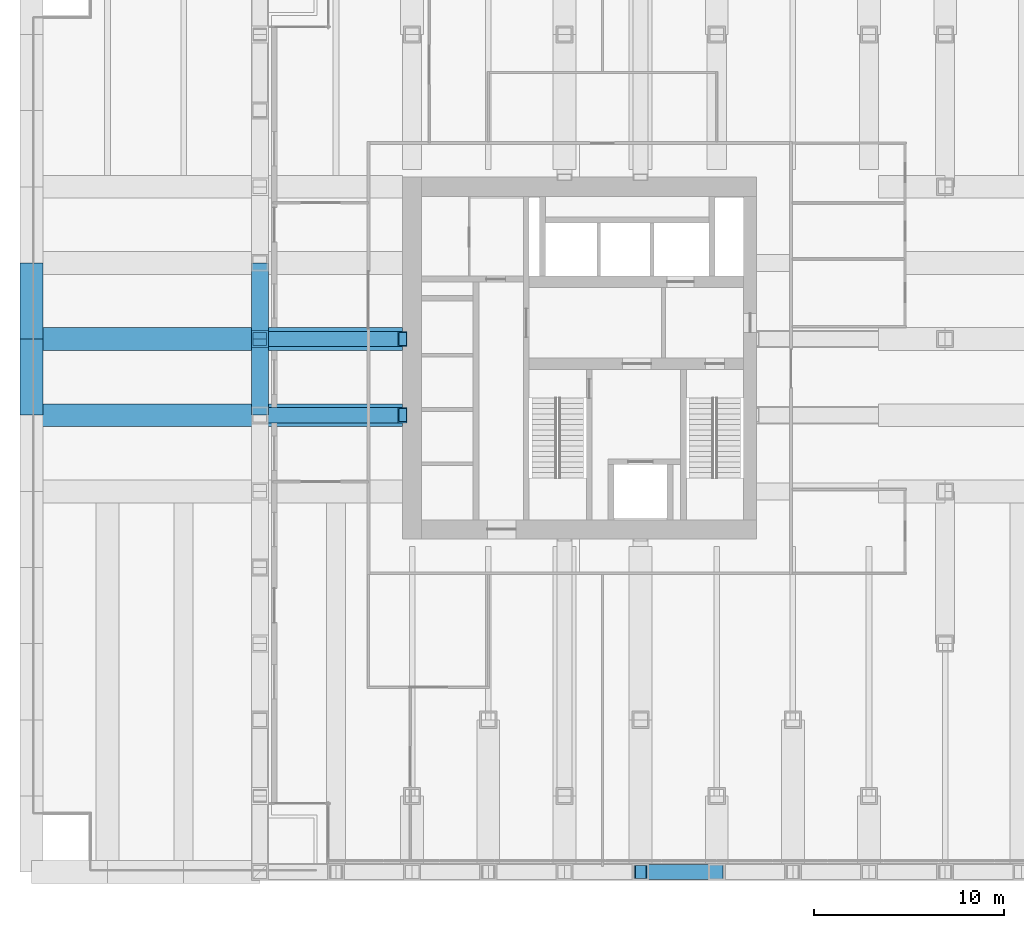
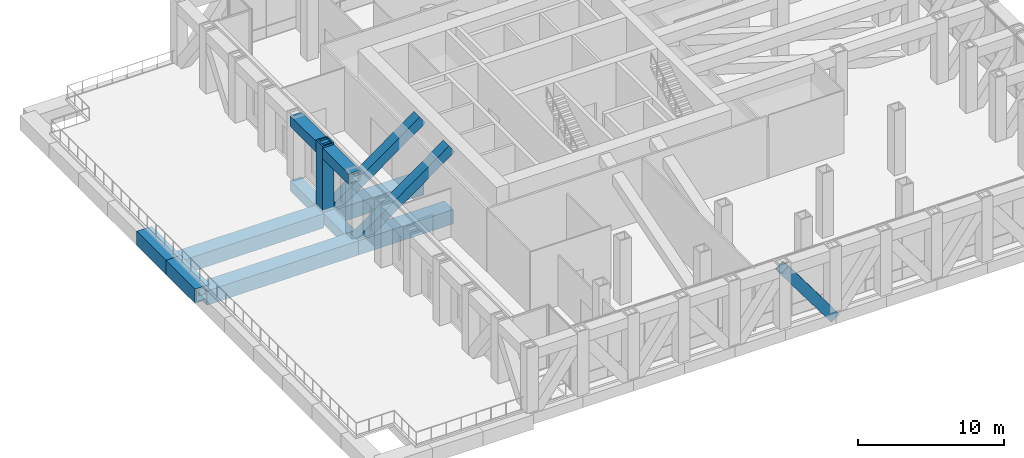
# One storey, part 3 of 14: 9 beams, 4 members.
"""IFC4 building model written with IfcOpenShell, lengths in metres."""

from ifc_helpers import new_model, si_unit, direction, frame, origin, origin_2d, place, context, subcontext, project, spatial, hollow_rectangle, extrude, material, material_profile, profile_set, type_object, element, save


model = new_model("IFC4")

# Units and contexts
model_context = context("Model", 3, precision=1e-05, world=origin(), true_north=direction((0.0, 1.0)))
body_context = subcontext(model_context, "Body", "Model", "MODEL_VIEW")
ifc_project = project(units=[si_unit("LENGTHUNIT", "METRE"), si_unit("AREAUNIT", "SQUARE_METRE"), si_unit("VOLUMEUNIT", "CUBIC_METRE"), si_unit("PLANEANGLEUNIT", "RADIAN"), si_unit("MASSUNIT", "GRAM", prefix="KILO")], contexts=[model_context])

# Site, building, storey
site_placement = place(None, origin())
site = spatial("IfcSite", under=ifc_project, at=site_placement, CompositionType="ELEMENT")
building_placement = place(site_placement, origin())
building = spatial("IfcBuilding", under=site, at=building_placement, Name="Rimbunsela Tower", CompositionType="ELEMENT")
storey_placement = place(building_placement, frame((0.0, 0.0, 71.0)))
storey = spatial("IfcBuildingStorey", under=building, at=storey_placement, Name="L17", CompositionType="ELEMENT", Elevation=71.0)

# Beams
ifc_material_1 = material(Name="Steel BJ 55 (fy 410 MPa)", Category="steel")
ifc_material_profile_1 = material_profile(ifc_material_1, hollow_rectangle(XDim=1.199951171875, YDim=1.199951171875, WallThickness=0.10009765625, at=origin_2d()), Name="BOX 1200x1200x100")
ifc_profile_set_1 = profile_set([ifc_material_profile_1], Name="Steel BJ 55 (fy 410 MPa)")
beam_type_1 = type_object("IfcBeamType", Name="Beam BOX 1200x1200x100", PredefinedType="BEAM", material=ifc_profile_set_1)
beam_1_placement = place(storey_placement, frame((-2.0, 24.0, -0.75), z_axis=(1.0, 0.0, 0.0), x_axis=(0.0, 1.0, 0.0)))
element("IfcBeam", 1, at=beam_1_placement, inside=storey, type_object=beam_type_1, Name="Beam B5 L17", PredefinedType="BEAM", context=body_context, shape_type="SweptSolid", body=[
    extrude(hollow_rectangle(XDim=1.199951171875, YDim=1.199951171875, WallThickness=0.10009765625, at=origin_2d()), origin(), (0.0, 0.0, 1.0), 12.0),
])
beam_2_placement = place(storey_placement, frame((-2.0, 28.0, -0.75), z_axis=(1.0, 0.0, 0.0), x_axis=(0.0, 1.0, 0.0)))
element("IfcBeam", 2, at=beam_2_placement, inside=storey, type_object=beam_type_1, Name="Beam B5 L17", PredefinedType="BEAM", context=body_context, shape_type="SweptSolid", body=[
    extrude(hollow_rectangle(XDim=1.199951171875, YDim=1.199951171875, WallThickness=0.10009765625, at=origin_2d()), origin(), (0.0, 0.0, 1.0), 11.550048828125),
])
beam_3_placement = place(storey_placement, frame((10.0, 24.0, -0.75), z_axis=(1.0, 0.0, 0.0), x_axis=(0.0, 1.0, 0.0)))
element("IfcBeam", 3, at=beam_3_placement, inside=storey, type_object=beam_type_1, Name="Beam B5 L17", PredefinedType="BEAM", context=body_context, shape_type="SweptSolid", body=[
    extrude(hollow_rectangle(XDim=1.199951171875, YDim=1.199951171875, WallThickness=0.10009765625, at=origin_2d()), origin(), (0.0, 0.0, 1.0), 7.5),
])
beam_4_placement = place(storey_placement, frame((10.449951171875, 28.0, -0.75), z_axis=(1.0, 0.0, 0.0), x_axis=(0.0, 1.0, 0.0)))
element("IfcBeam", 4, at=beam_4_placement, inside=storey, type_object=beam_type_1, Name="Beam B5 L17", PredefinedType="BEAM", context=body_context, shape_type="SweptSolid", body=[
    extrude(hollow_rectangle(XDim=1.199951171875, YDim=1.199951171875, WallThickness=0.10009765625, at=origin_2d()), origin(), (0.0, 0.0, 1.0), 7.050048828125),
])
ifc_material_2 = material(Name="Steel BJ 55 (fy 410 MPa)", Category="steel")
ifc_material_profile_2 = material_profile(ifc_material_2, hollow_rectangle(XDim=1.199951171875, YDim=1.199951171875, WallThickness=0.125, at=origin_2d()), Name="BOX 1200x1200x125")
ifc_profile_set_2 = profile_set([ifc_material_profile_2], Name="Steel BJ 55 (fy 410 MPa)")
beam_type_2 = type_object("IfcBeamType", Name="Beam BOX 1200x1200x125", PredefinedType="BEAM", material=ifc_profile_set_2)
for number, where, z_axis, x_axis, name in (
    (5, (-2.0, 24.0, -0.75), (0.0, 1.0, 0.0), (-1.0, 0.0, 0.0), "Beam B4 L17"),
    (6, (-2.0, 28.0, -0.75), (0.0, 1.0, 0.0), (-1.0, 0.0, 0.0), "Beam B4 L17"),
):
    element("IfcBeam", number, at=place(storey_placement, frame(where, z_axis=z_axis, x_axis=x_axis)), inside=storey, type_object=beam_type_2, Name=name, PredefinedType="BEAM", context=body_context, shape_type="SweptSolid", body=[
        extrude(hollow_rectangle(XDim=1.199951171875, YDim=1.199951171875, WallThickness=0.125, at=origin_2d()), origin(), (0.0, 0.0, 1.0), 4.0),
    ])

# Members
ifc_material_3 = material(Name="Steel BJ 55 (fy 410 MPa)", Category="steel")
ifc_material_profile_3 = material_profile(ifc_material_3, hollow_rectangle(XDim=0.800048828125, YDim=0.800048828125, WallThickness=0.06005859375, at=origin_2d()), Name="BOX 800x800x60")
ifc_profile_set_3 = profile_set([ifc_material_profile_3], Name="Steel BJ 55 (fy 410 MPa)")
member_type_1 = type_object("IfcMemberType", Name="Outrigger brace BOX 800x800x60", PredefinedType="BRACE", material=ifc_profile_set_3)
for number, where, z_axis, x_axis, name in (
    (7, (10.0, 28.0, -0.60009765625), (0.811526825515, 0.0, 0.584315164504), (0.0, 1.0, 0.0), "Outrigger brace OB1 W L17"),
    (8, (10.0, 24.0, -0.60009765625), (0.811526825515, 0.0, 0.584315164504), (0.0, 1.0, 0.0), "Outrigger brace OB1 W L17"),
):
    element("IfcMember", number, at=place(storey_placement, frame(where, z_axis=z_axis, x_axis=x_axis)), inside=storey, type_object=member_type_1, Name=name, PredefinedType="BRACE", context=body_context, shape_type="SweptSolid", body=[
        extrude(hollow_rectangle(XDim=0.800048828125, YDim=0.800048828125, WallThickness=0.06005859375, at=origin_2d()), origin(), (0.0, 0.0, 1.0), 9.241943359375),
    ])

# Beams
ifc_material_4 = material(Name="Steel BJ 55 (fy 410 MPa)", Category="steel")
ifc_material_profile_4 = material_profile(ifc_material_4, hollow_rectangle(XDim=0.89990234375, YDim=0.89990234375, WallThickness=0.10009765625, at=origin_2d()), Name="BOX 900x900x100")
ifc_profile_set_4 = profile_set([ifc_material_profile_4], Name="Steel BJ 55 (fy 410 MPa)")
beam_type_3 = type_object("IfcBeamType", Name="Truss chord BOX 900x900x100", PredefinedType="USERDEFINED", material=ifc_profile_set_4)
for number, where, z_axis, x_axis, name in (
    (9, (10.0, 24.0, 4.800048828125), (0.0, 1.0, 0.0), (-1.0, 0.0, 0.0), "Truss top chord TC2 W face L17"),
    (10, (10.0, 28.0, 4.800048828125), (0.0, 1.0, 0.0), (-1.0, 0.0, 0.0), "Truss top chord TC2 W face L17"),
):
    element("IfcBeam", number, at=place(storey_placement, frame(where, z_axis=z_axis, x_axis=x_axis)), inside=storey, type_object=beam_type_3, Name=name, ObjectType="TRUSS CHORD", PredefinedType="USERDEFINED", context=body_context, shape_type="SweptSolid", body=[
        extrude(hollow_rectangle(XDim=0.89990234375, YDim=0.89990234375, WallThickness=0.10009765625, at=origin_2d()), origin(), (0.0, 0.0, 1.0), 4.0),
    ])
beam_5_placement = place(storey_placement, frame((10.0, 24.0, -0.60009765625), z_axis=(0.0, 1.0, 0.0), x_axis=(-1.0, 0.0, 0.0)))
element("IfcBeam", 11, at=beam_5_placement, inside=storey, type_object=beam_type_3, Name="Truss bottom chord TC2 W face L17", ObjectType="TRUSS CHORD", PredefinedType="USERDEFINED", context=body_context, shape_type="SweptSolid", body=[
    extrude(hollow_rectangle(XDim=0.89990234375, YDim=0.89990234375, WallThickness=0.10009765625, at=origin_2d()), origin(), (0.0, 0.0, 1.0), 8.0),
])

# Members
ifc_material_5 = material(Name="Steel BJ 55 (fy 410 MPa)", Category="steel")
ifc_material_profile_5 = material_profile(ifc_material_5, hollow_rectangle(XDim=0.800048828125, YDim=0.800048828125, WallThickness=0.06005859375, at=origin_2d()), Name="BOX 800x800x60")
ifc_profile_set_5 = profile_set([ifc_material_profile_5], Name="Steel BJ 55 (fy 410 MPa)")
member_type_2 = type_object("IfcMemberType", Name="Truss diagonal BOX 800x800x60", PredefinedType="BRACE", material=ifc_profile_set_5)
member_1_placement = place(storey_placement, frame((30.0, 0.0, 4.800048828125), z_axis=(0.595217124844, 0.0, -0.803564916041), x_axis=(0.0, 1.0, 0.0)))
element("IfcMember", 12, at=member_1_placement, inside=storey, type_object=member_type_2, Name="Truss diagonal TD2 S face L17", PredefinedType="BRACE", context=body_context, shape_type="SweptSolid", body=[
    extrude(hollow_rectangle(XDim=0.800048828125, YDim=0.800048828125, WallThickness=0.06005859375, at=origin_2d()), origin(), (0.0, 0.0, 1.0), 6.72021484375),
])
ifc_material_6 = material(Name="Steel BJ 55 (fy 410 MPa)", Category="steel")
ifc_material_profile_6 = material_profile(ifc_material_6, hollow_rectangle(XDim=0.89990234375, YDim=0.89990234375, WallThickness=0.10009765625, at=origin_2d()), Name="BOX 900x900x100")
ifc_profile_set_6 = profile_set([ifc_material_profile_6], Name="Steel BJ 55 (fy 410 MPa)")
member_type_3 = type_object("IfcMemberType", Name="Truss post BOX 900x900x100", PredefinedType="POST", material=ifc_profile_set_6)
member_2_placement = place(storey_placement, frame((10.0, 28.0, -0.60009765625), z_axis=(0.0, 0.0, 1.0), x_axis=(1.0, 0.0, 0.0)))
element("IfcMember", 13, at=member_2_placement, inside=storey, type_object=member_type_3, Name="Truss post TP2 5/J L17", PredefinedType="POST", context=body_context, shape_type="SweptSolid", body=[
    extrude(hollow_rectangle(XDim=0.89990234375, YDim=0.89990234375, WallThickness=0.10009765625, at=origin_2d()), origin(), (0.0, 0.0, 1.0), 6.0),
])

save(model, "model.ifc")
